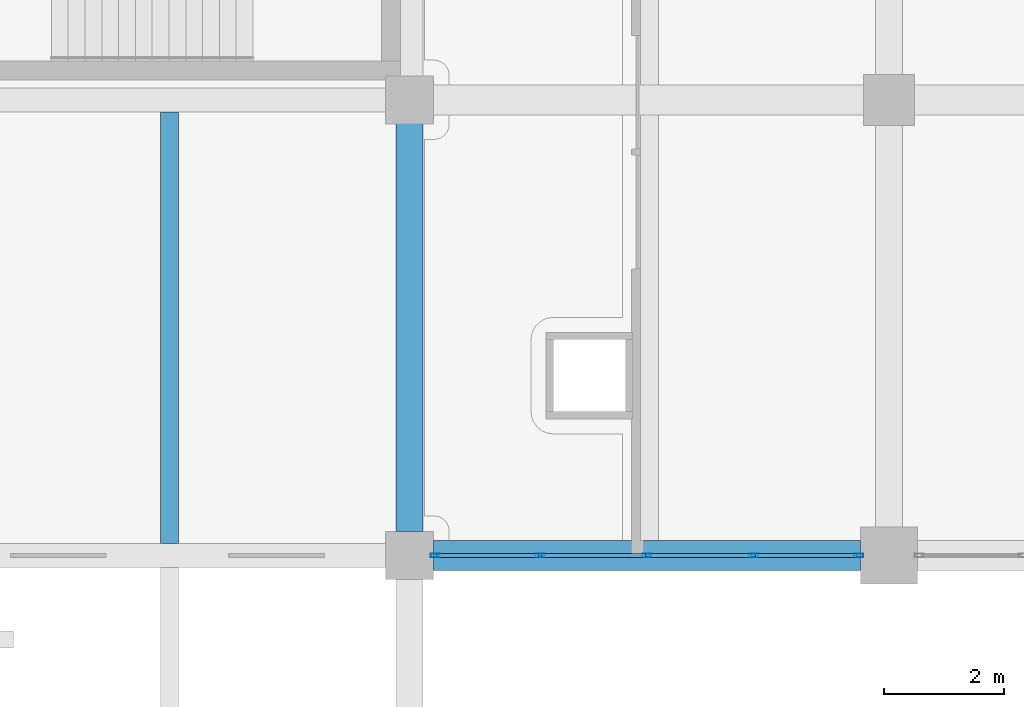
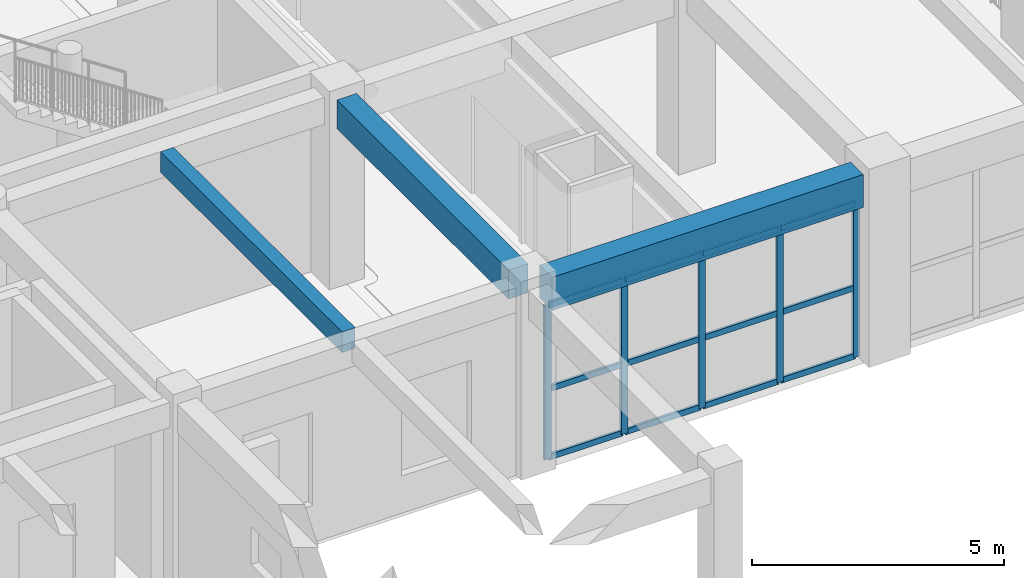
# One storey, part 7 of 101: 17 members, 3 beams, 1 element without a shape of its own.
"""IFC4 building model written with IfcOpenShell, lengths in metres."""

import ifcopenshell
import ifcopenshell.guid

model = None  # the IFC model being written
_history = None  # IfcOwnerHistory: only IFC2X3 demands one
_inside = {}  # id of a spatial element -> (the spatial element, [elements in it])
_under = {}  # id of a project, library or spatial element -> (it, [spatial elements below it])
_declared = {}  # id of a project -> (the project, [libraries it declares])
_typed = {}  # id of a type object -> (the type object, [elements of that type])
_made_of = {}  # id of a material, layer set ... -> (it, [elements and type objects made of it])


def new_model(schema):
    """Start an empty IFC model of exactly this schema.

    Asked for "IFC4X3", IfcOpenShell would pick the latest addendum, in which some entities
    have other attributes; the version numbers below select the first issue.
    IFC2X3 requires an IfcOwnerHistory on every rooted entity: one is made here for all.
    """
    global model, _history
    if schema == "IFC4X3":
        model = ifcopenshell.file(schema_version=(4, 3, 0, 0))
    else:
        model = ifcopenshell.file(schema=schema)
    _inside.clear()
    _under.clear()
    _declared.clear()
    _typed.clear()
    _made_of.clear()
    _history = None
    if model.schema == "IFC2X3":
        org = make("IfcOrganization", Name="unknown")
        user = make(
            "IfcPersonAndOrganization",
            ThePerson=make("IfcPerson", FamilyName="unknown"),
            TheOrganization=org,
        )
        app = make(
            "IfcApplication",
            ApplicationDeveloper=org,
            Version="unknown",
            ApplicationFullName="unknown",
            ApplicationIdentifier="unknown",
        )
        _history = make(
            "IfcOwnerHistory",
            OwningUser=user,
            OwningApplication=app,
            ChangeAction="ADDED",
            CreationDate=0,
        )
    return model


def make(cls, **values):
    """One entity of the class cls with the attributes given. An attribute that is None is left unset."""
    return model.create_entity(
        cls, **{name: value for name, value in values.items() if value is not None}
    )


def rooted(cls, **values):
    """An entity with a GlobalId (a new one), such as an element, a storey or a relation."""
    return make(cls, GlobalId=ifcopenshell.guid.new(), OwnerHistory=_history, **values)


def si_unit(unit_type, name, prefix=None):
    """IfcSIUnit, for example si_unit("LENGTHUNIT", "METRE", prefix="MILLI")."""
    return make("IfcSIUnit", UnitType=unit_type, Prefix=prefix, Name=name)


def assignment(units):
    """IfcUnitAssignment: the units of a project."""
    return None if units is None else make("IfcUnitAssignment", Units=units)


def point(xyz):
    """IfcCartesianPoint."""
    return None if xyz is None else make("IfcCartesianPoint", Coordinates=xyz)


def direction(xyz):
    """IfcDirection."""
    return None if xyz is None else make("IfcDirection", DirectionRatios=xyz)


def frame(location, z_axis=None, x_axis=None):
    """IfcAxis2Placement3D, a coordinate frame: its origin and axes. An axis left out is left unset."""
    return make(
        "IfcAxis2Placement3D",
        Location=point(location),
        Axis=direction(z_axis),
        RefDirection=direction(x_axis),
    )


def frame_2d(location, x_axis=None):
    """IfcAxis2Placement2D, a coordinate frame in the plane: its origin and x axis."""
    return make(
        "IfcAxis2Placement2D", Location=point(location), RefDirection=direction(x_axis)
    )


def origin():
    """The frame at (0, 0, 0) with its axes left unset."""
    return frame((0.0, 0.0, 0.0))


def origin_2d():
    """The frame at (0, 0) in the plane with its x axis left unset."""
    return frame_2d((0.0, 0.0))


def place(relative_to, where):
    """IfcLocalPlacement: puts the frame where relative to a parent placement (None: the world)."""
    return make(
        "IfcLocalPlacement", PlacementRelTo=relative_to, RelativePlacement=where
    )


def context(
    kind, dimensions, precision=None, world=None, true_north=None, identifier=None
):
    """IfcGeometricRepresentationContext, for example the 3D "Model" context."""
    return make(
        "IfcGeometricRepresentationContext",
        ContextIdentifier=identifier,
        ContextType=kind,
        CoordinateSpaceDimension=dimensions,
        Precision=precision,
        WorldCoordinateSystem=world,
        TrueNorth=true_north,
    )


def subcontext(parent, identifier, kind, view, scale=None):
    """IfcGeometricRepresentationSubContext, for example "Body" below "Model"."""
    return make(
        "IfcGeometricRepresentationSubContext",
        ContextIdentifier=identifier,
        ContextType=kind,
        ParentContext=parent,
        TargetScale=scale,
        TargetView=view,
    )


def project(units=None, contexts=None):
    """IfcProject with its units and contexts."""
    return rooted(
        "IfcProject",
        Name="project",
        RepresentationContexts=contexts,
        UnitsInContext=assignment(units),
    )


def spatial(cls, under=None, at=None, **own):
    """A site, building, storey or space (cls), placed at a placement, below another one or the project."""
    s = rooted(cls, ObjectPlacement=at, **own)
    if under is not None:
        _under.setdefault(under.id(), (under, []))[1].append(s)
    return s


def profile(cls, at=None, kind="AREA", **sizes):
    """A parametric profile (cls). Its sizes go by their IFC names, for example OverallWidth=200.0."""
    return make(cls, ProfileType=kind, Position=at, **sizes)


def rectangle(**sizes):
    """IfcRectangleProfileDef."""
    return profile("IfcRectangleProfileDef", **sizes)


def hollow_rectangle(**sizes):
    """IfcRectangleHollowProfileDef."""
    return profile("IfcRectangleHollowProfileDef", **sizes)


def extrude(swept, where, along, depth):
    """IfcExtrudedAreaSolid: the profile swept, set in the frame where, extruded along a direction by depth."""
    return make(
        "IfcExtrudedAreaSolid",
        SweptArea=swept,
        Position=where,
        ExtrudedDirection=direction(along),
        Depth=depth,
    )


def shape(context_of_items, identifier, shape_type, items):
    """IfcShapeRepresentation: the items that make up one representation, for example the "Body"."""
    return make(
        "IfcShapeRepresentation",
        ContextOfItems=context_of_items,
        RepresentationIdentifier=identifier,
        RepresentationType=shape_type,
        Items=items,
    )


def material(Name=None, Category=None):
    """IfcMaterial."""
    return make("IfcMaterial", Name=Name, Category=Category)


def material_profile(
    of_material, cross_section, Name=None, Category=None, Priority=None
):
    """IfcMaterialProfile: a cross section and its material."""
    return make(
        "IfcMaterialProfile",
        Name=Name,
        Material=of_material,
        Profile=cross_section,
        Priority=Priority,
        Category=Category,
    )


def profile_set(profiles, Name=None, composite=None):
    """IfcMaterialProfileSet."""
    return make(
        "IfcMaterialProfileSet",
        Name=Name,
        MaterialProfiles=profiles,
        CompositeProfile=composite,
    )


def made_of(thing, what):
    """Note that an element or type object is made of a material, layer set ...; save() writes the relation."""
    if what is not None:
        _made_of.setdefault(what.id(), (what, []))[1].append(thing)
    return thing


def type_object(cls, material=None, **own):
    """A type object (cls), such as IfcWallType, which elements share."""
    return made_of(rooted(cls, **own), material)


def element(
    cls,
    number,
    at=None,
    inside=None,
    cuts=None,
    type_object=None,
    material=None,
    context=None,
    identifier="Body",
    shape_type=None,
    held_by="IfcProductDefinitionShape",
    body=None,
    shapes=None,
    **own,
):
    """One element of the class cls, such as IfcWall. Its Tag is "e" and its number.

    at: its placement. inside: the storey or other place that contains it. cuts: it is an
    opening in that element (IfcRelVoidsElement). A single representation is given by context,
    identifier, shape_type and body (its items); several are given by shapes. held_by: the class
    of the entity that holds the representations. save() writes the other relations.
    """
    e = rooted(cls, Tag="e%d" % number, ObjectPlacement=at, **own)
    if body is not None:
        shapes = [shape(context, identifier, shape_type, body)]
    if shapes is not None:
        e.Representation = make(held_by, Representations=shapes)
    if inside is not None:
        _inside.setdefault(inside.id(), (inside, []))[1].append(e)
    if cuts is not None:
        rooted(
            "IfcRelVoidsElement", RelatingBuildingElement=cuts, RelatedOpeningElement=e
        )
    if type_object is not None:
        _typed.setdefault(type_object.id(), (type_object, []))[1].append(e)
    return made_of(e, material)


def aggregate(whole, parts):
    """IfcRelAggregates: a whole, such as a stair, and the parts it consists of."""
    return rooted("IfcRelAggregates", RelatingObject=whole, RelatedObjects=parts)


def save(model, path):
    """Write the relations noted so far, then the file.

    IfcRelAggregates (storeys below a building ...), IfcRelContainedInSpatialStructure (elements
    in a storey), IfcRelDefinesByType, IfcRelAssociatesMaterial and IfcRelDeclares: one each for
    every whole, place, type object, material and project.
    """
    for whole, parts in _under.values():
        aggregate(whole, parts)
    for where, things in _inside.values():
        rooted(
            "IfcRelContainedInSpatialStructure",
            RelatedElements=things,
            RelatingStructure=where,
        )
    for kind, things in _typed.values():
        rooted("IfcRelDefinesByType", RelatedObjects=things, RelatingType=kind)
    for what, things in _made_of.values():
        rooted("IfcRelAssociatesMaterial", RelatedObjects=things, RelatingMaterial=what)
    for by, libraries in _declared.values():
        rooted("IfcRelDeclares", RelatingContext=by, RelatedDefinitions=libraries)
    model.write(path)


model = new_model("IFC4")

# Units and contexts
model_context = context("Model", 3, precision=1e-05, world=origin(), true_north=direction((0.0, 1.0)))
body_context = subcontext(model_context, "Body", "Model", "MODEL_VIEW")
ifc_project = project(units=[si_unit("LENGTHUNIT", "METRE"), si_unit("AREAUNIT", "SQUARE_METRE"), si_unit("VOLUMEUNIT", "CUBIC_METRE"), si_unit("PLANEANGLEUNIT", "RADIAN"), si_unit("MASSUNIT", "GRAM", prefix="KILO")], contexts=[model_context])

# Site, building, storey
site_placement = place(None, origin())
site = spatial("IfcSite", under=ifc_project, at=site_placement, CompositionType="ELEMENT")
building_placement = place(site_placement, origin())
building = spatial("IfcBuilding", under=site, at=building_placement, Name="Zantavel Square City Hall", CompositionType="ELEMENT")
storey_placement = place(building_placement, frame((0.0, 0.0, 5.39990234375)))
storey = spatial("IfcBuildingStorey", under=building, at=storey_placement, Name="L02", CompositionType="ELEMENT", Elevation=5.39990234375)

# Curtain wall, members
ifc_material_1 = material(Name="Anodised aluminium 6063-T6", Category="aluminium")
curtain_wall_type = type_object("IfcCurtainWallType", Name="Curtain Wall TRV1 7125x3740", PredefinedType="USERDEFINED", material=ifc_material_1)
curtain_wall_placement = place(storey_placement, origin())
curtain_wall = element("IfcCurtainWall", 1, at=curtain_wall_placement, inside=storey, type_object=curtain_wall_type, Name="L02 Glazed Curtain Wall CW-L02-050", ObjectType="GLAZED CURTAIN WALL", PredefinedType="USERDEFINED")
ifc_material_profile_1 = material_profile(ifc_material_1, hollow_rectangle(XDim=0.06494140625, YDim=0.14990234375, WallThickness=0.00390625, at=origin_2d()), Name="ALU 65x150x4")
ifc_profile_set_1 = profile_set([ifc_material_profile_1], Name="Anodised aluminium 6063-T6")
member_type_1 = type_object("IfcMemberType", Name="CW Mullion ALU 65x150x4", PredefinedType="MULLION", material=ifc_profile_set_1)
member_1_placement = place(storey_placement, frame((63.4951171875, 30.39990234375, 0.0), z_axis=(0.0, 0.0, 1.0), x_axis=(0.0, -1.0, 0.0)))
member_1 = element("IfcMember", 2, at=member_1_placement, type_object=member_type_1, Name="CW-050 mullion 1", PredefinedType="MULLION", context=body_context, shape_type="SweptSolid", body=[
    extrude(hollow_rectangle(XDim=0.06494140625, YDim=0.14990234375, WallThickness=0.00390625, at=origin_2d()), origin(), (0.0, 0.0, 1.0), 3.739990234375),
])
member_2_placement = place(storey_placement, frame((61.74365234375, 30.39990234375, 0.0), z_axis=(0.0, 0.0, 1.0), x_axis=(0.0, -1.0, 0.0)))
member_2 = element("IfcMember", 3, at=member_2_placement, type_object=member_type_1, Name="CW-050 mullion 2", PredefinedType="MULLION", context=body_context, shape_type="SweptSolid", body=[
    extrude(hollow_rectangle(XDim=0.06494140625, YDim=0.14990234375, WallThickness=0.00390625, at=origin_2d()), origin(), (0.0, 0.0, 1.0), 3.739990234375),
])
member_3_placement = place(storey_placement, frame((59.96240234375, 30.39990234375, 0.0), z_axis=(0.0, 0.0, 1.0), x_axis=(0.0, -1.0, 0.0)))
member_3 = element("IfcMember", 4, at=member_3_placement, type_object=member_type_1, Name="CW-050 mullion 3", PredefinedType="MULLION", context=body_context, shape_type="SweptSolid", body=[
    extrude(hollow_rectangle(XDim=0.06494140625, YDim=0.14990234375, WallThickness=0.00390625, at=origin_2d()), origin(), (0.0, 0.0, 1.0), 3.739990234375),
])
member_4_placement = place(storey_placement, frame((58.18115234375, 30.39990234375, 0.0), z_axis=(0.0, 0.0, 1.0), x_axis=(0.0, -1.0, 0.0)))
member_4 = element("IfcMember", 5, at=member_4_placement, type_object=member_type_1, Name="CW-050 mullion 4", PredefinedType="MULLION", context=body_context, shape_type="SweptSolid", body=[
    extrude(hollow_rectangle(XDim=0.06494140625, YDim=0.14990234375, WallThickness=0.00390625, at=origin_2d()), origin(), (0.0, 0.0, 1.0), 3.739990234375),
])
member_5_placement = place(storey_placement, frame((56.429931640625, 30.39990234375, 0.0), z_axis=(0.0, 0.0, 1.0), x_axis=(0.0, -1.0, 0.0)))
member_5 = element("IfcMember", 6, at=member_5_placement, type_object=member_type_1, Name="CW-050 mullion 5", PredefinedType="MULLION", context=body_context, shape_type="SweptSolid", body=[
    extrude(hollow_rectangle(XDim=0.06494140625, YDim=0.14990234375, WallThickness=0.00390625, at=origin_2d()), origin(), (0.0, 0.0, 1.0), 3.739990234375),
])
ifc_material_profile_2 = material_profile(ifc_material_1, hollow_rectangle(XDim=0.06005859375, YDim=0.139892578125, WallThickness=0.00390625, at=origin_2d()), Name="ALU 60x140x4")
ifc_profile_set_2 = profile_set([ifc_material_profile_2], Name="Anodised aluminium 6063-T6")
member_type_2 = type_object("IfcMemberType", Name="CW Transom ALU 60x140x4", PredefinedType="USERDEFINED", material=ifc_profile_set_2)
member_6_placement = place(storey_placement, frame((63.465087890625, 30.39990234375, 0.030029296875), z_axis=(-1.0, 0.0, 0.0), x_axis=(0.0, -1.0, 0.0)))
member_6 = element("IfcMember", 7, at=member_6_placement, type_object=member_type_2, Name="CW-050 transom 1.1", ObjectType="TRANSOM", PredefinedType="USERDEFINED", context=body_context, shape_type="SweptSolid", body=[
    extrude(hollow_rectangle(XDim=0.06005859375, YDim=0.139892578125, WallThickness=0.00390625, at=origin_2d()), origin(), (0.0, 0.0, 1.0), 1.69140625),
])
member_7_placement = place(storey_placement, frame((63.465087890625, 30.39990234375, 1.68310546875), z_axis=(-1.0, 0.0, 0.0), x_axis=(0.0, -1.0, 0.0)))
member_7 = element("IfcMember", 8, at=member_7_placement, type_object=member_type_2, Name="CW-050 transom 1.2", ObjectType="TRANSOM", PredefinedType="USERDEFINED", context=body_context, shape_type="SweptSolid", body=[
    extrude(hollow_rectangle(XDim=0.06005859375, YDim=0.139892578125, WallThickness=0.00390625, at=origin_2d()), origin(), (0.0, 0.0, 1.0), 1.69140625),
])
member_8_placement = place(storey_placement, frame((63.465087890625, 30.39990234375, 3.710205078125), z_axis=(-1.0, 0.0, 0.0), x_axis=(0.0, -1.0, 0.0)))
member_8 = element("IfcMember", 9, at=member_8_placement, type_object=member_type_2, Name="CW-050 transom 1.3", ObjectType="TRANSOM", PredefinedType="USERDEFINED", context=body_context, shape_type="SweptSolid", body=[
    extrude(hollow_rectangle(XDim=0.06005859375, YDim=0.139892578125, WallThickness=0.00390625, at=origin_2d()), origin(), (0.0, 0.0, 1.0), 1.69140625),
])
member_9_placement = place(storey_placement, frame((61.7138671875, 30.39990234375, 0.030029296875), z_axis=(-1.0, 0.0, 0.0), x_axis=(0.0, -1.0, 0.0)))
member_9 = element("IfcMember", 10, at=member_9_placement, type_object=member_type_2, Name="CW-050 transom 2.1", ObjectType="TRANSOM", PredefinedType="USERDEFINED", context=body_context, shape_type="SweptSolid", body=[
    extrude(hollow_rectangle(XDim=0.06005859375, YDim=0.139892578125, WallThickness=0.00390625, at=origin_2d()), origin(), (0.0, 0.0, 1.0), 1.721435546875),
])
member_10_placement = place(storey_placement, frame((61.7138671875, 30.39990234375, 1.68310546875), z_axis=(-1.0, 0.0, 0.0), x_axis=(0.0, -1.0, 0.0)))
member_10 = element("IfcMember", 11, at=member_10_placement, type_object=member_type_2, Name="CW-050 transom 2.2", ObjectType="TRANSOM", PredefinedType="USERDEFINED", context=body_context, shape_type="SweptSolid", body=[
    extrude(hollow_rectangle(XDim=0.06005859375, YDim=0.139892578125, WallThickness=0.00390625, at=origin_2d()), origin(), (0.0, 0.0, 1.0), 1.721435546875),
])
member_11_placement = place(storey_placement, frame((61.7138671875, 30.39990234375, 3.710205078125), z_axis=(-1.0, 0.0, 0.0), x_axis=(0.0, -1.0, 0.0)))
member_11 = element("IfcMember", 12, at=member_11_placement, type_object=member_type_2, Name="CW-050 transom 2.3", ObjectType="TRANSOM", PredefinedType="USERDEFINED", context=body_context, shape_type="SweptSolid", body=[
    extrude(hollow_rectangle(XDim=0.06005859375, YDim=0.139892578125, WallThickness=0.00390625, at=origin_2d()), origin(), (0.0, 0.0, 1.0), 1.721435546875),
])
member_12_placement = place(storey_placement, frame((59.9326171875, 30.39990234375, 0.030029296875), z_axis=(-1.0, 0.0, 0.0), x_axis=(0.0, -1.0, 0.0)))
member_12 = element("IfcMember", 13, at=member_12_placement, type_object=member_type_2, Name="CW-050 transom 3.1", ObjectType="TRANSOM", PredefinedType="USERDEFINED", context=body_context, shape_type="SweptSolid", body=[
    extrude(hollow_rectangle(XDim=0.06005859375, YDim=0.139892578125, WallThickness=0.00390625, at=origin_2d()), origin(), (0.0, 0.0, 1.0), 1.721435546875),
])
member_13_placement = place(storey_placement, frame((59.9326171875, 30.39990234375, 1.68310546875), z_axis=(-1.0, 0.0, 0.0), x_axis=(0.0, -1.0, 0.0)))
member_13 = element("IfcMember", 14, at=member_13_placement, type_object=member_type_2, Name="CW-050 transom 3.2", ObjectType="TRANSOM", PredefinedType="USERDEFINED", context=body_context, shape_type="SweptSolid", body=[
    extrude(hollow_rectangle(XDim=0.06005859375, YDim=0.139892578125, WallThickness=0.00390625, at=origin_2d()), origin(), (0.0, 0.0, 1.0), 1.721435546875),
])
member_14_placement = place(storey_placement, frame((59.9326171875, 30.39990234375, 3.710205078125), z_axis=(-1.0, 0.0, 0.0), x_axis=(0.0, -1.0, 0.0)))
member_14 = element("IfcMember", 15, at=member_14_placement, type_object=member_type_2, Name="CW-050 transom 3.3", ObjectType="TRANSOM", PredefinedType="USERDEFINED", context=body_context, shape_type="SweptSolid", body=[
    extrude(hollow_rectangle(XDim=0.06005859375, YDim=0.139892578125, WallThickness=0.00390625, at=origin_2d()), origin(), (0.0, 0.0, 1.0), 1.721435546875),
])
member_15_placement = place(storey_placement, frame((58.1513671875, 30.39990234375, 0.030029296875), z_axis=(-1.0, 0.0, 0.0), x_axis=(0.0, -1.0, 0.0)))
member_15 = element("IfcMember", 16, at=member_15_placement, type_object=member_type_2, Name="CW-050 transom 4.1", ObjectType="TRANSOM", PredefinedType="USERDEFINED", context=body_context, shape_type="SweptSolid", body=[
    extrude(hollow_rectangle(XDim=0.06005859375, YDim=0.139892578125, WallThickness=0.00390625, at=origin_2d()), origin(), (0.0, 0.0, 1.0), 1.69140625),
])
member_16_placement = place(storey_placement, frame((58.1513671875, 30.39990234375, 1.68310546875), z_axis=(-1.0, 0.0, 0.0), x_axis=(0.0, -1.0, 0.0)))
member_16 = element("IfcMember", 17, at=member_16_placement, type_object=member_type_2, Name="CW-050 transom 4.2", ObjectType="TRANSOM", PredefinedType="USERDEFINED", context=body_context, shape_type="SweptSolid", body=[
    extrude(hollow_rectangle(XDim=0.06005859375, YDim=0.139892578125, WallThickness=0.00390625, at=origin_2d()), origin(), (0.0, 0.0, 1.0), 1.69140625),
])
member_17_placement = place(storey_placement, frame((58.1513671875, 30.39990234375, 3.710205078125), z_axis=(-1.0, 0.0, 0.0), x_axis=(0.0, -1.0, 0.0)))
member_17 = element("IfcMember", 18, at=member_17_placement, type_object=member_type_2, Name="CW-050 transom 4.3", ObjectType="TRANSOM", PredefinedType="USERDEFINED", context=body_context, shape_type="SweptSolid", body=[
    extrude(hollow_rectangle(XDim=0.06005859375, YDim=0.139892578125, WallThickness=0.00390625, at=origin_2d()), origin(), (0.0, 0.0, 1.0), 1.69140625),
])
aggregate(curtain_wall, [member_1, member_2, member_3, member_4, member_5, member_6, member_7, member_8, member_9, member_10, member_11, member_12, member_13, member_14, member_15, member_16, member_17])

# Beams
ifc_material_2 = material(Name="Concrete C35/45", Category="concrete")
ifc_material_profile_3 = material_profile(ifc_material_2, rectangle(XDim=0.300048828125, YDim=0.5, at=origin_2d()), Name="RC 300x500")
ifc_profile_set_3 = profile_set([ifc_material_profile_3], Name="Concrete C35/45")
beam_type_1 = type_object("IfcBeamType", Name="Floor Joist RC 300x500 C35/45", PredefinedType="JOIST", material=ifc_profile_set_3)
beam_1_placement = place(storey_placement, frame((52.0, 30.60009765625, 4.2900390625), z_axis=(0.0, 1.0, 0.0), x_axis=(-1.0, 0.0, 0.0)))
element("IfcBeam", 19, at=beam_1_placement, inside=storey, type_object=beam_type_1, Name="L02 Floor Joist JST-L02-0520-0304", PredefinedType="JOIST", context=body_context, shape_type="SweptSolid", body=[
    extrude(rectangle(XDim=0.300048828125, YDim=0.5, at=origin_2d()), origin(), (0.0, 0.0, 1.0), 7.199951171875),
])
ifc_material_profile_4 = material_profile(ifc_material_2, rectangle(XDim=0.449951171875, YDim=0.699951171875, at=origin_2d()), Name="RC 450x700")
ifc_profile_set_4 = profile_set([ifc_material_profile_4], Name="Concrete C35/45")
beam_type_2 = type_object("IfcBeamType", Name="Primary Girder RC 450x700 C35/45", PredefinedType="BEAM", material=ifc_profile_set_4)
beam_2_placement = place(storey_placement, frame((56.0, 30.800048828125, 4.190185546875), z_axis=(0.0, 1.0, 0.0), x_axis=(-1.0, 0.0, 0.0)))
element("IfcBeam", 20, at=beam_2_placement, inside=storey, type_object=beam_type_2, Name="L02 Beam BMY-L02-0560-0304", PredefinedType="BEAM", context=body_context, shape_type="SweptSolid", body=[
    extrude(rectangle(XDim=0.449951171875, YDim=0.699951171875, at=origin_2d()), origin(), (0.0, 0.0, 1.0), 6.800048828125),
])
ifc_material_profile_5 = material_profile(ifc_material_2, rectangle(XDim=0.5, YDim=0.800048828125, at=origin_2d()), Name="RC 500x800")
ifc_profile_set_5 = profile_set([ifc_material_profile_5], Name="Concrete C35/45")
beam_type_3 = type_object("IfcBeamType", Name="Primary Girder RC 500x800 C35/45", PredefinedType="BEAM", material=ifc_profile_set_5)
beam_3_placement = place(storey_placement, frame((56.39990234375, 30.39990234375, 4.14013671875), z_axis=(1.0, 0.0, 0.0), x_axis=(0.0, 1.0, 0.0)))
element("IfcBeam", 21, at=beam_3_placement, inside=storey, type_object=beam_type_3, Name="L02 Girder BMX-L02-0560-0304", PredefinedType="BEAM", context=body_context, shape_type="SweptSolid", body=[
    extrude(rectangle(XDim=0.5, YDim=0.800048828125, at=origin_2d()), origin(), (0.0, 0.0, 1.0), 7.125),
])

save(model, "model.ifc")
